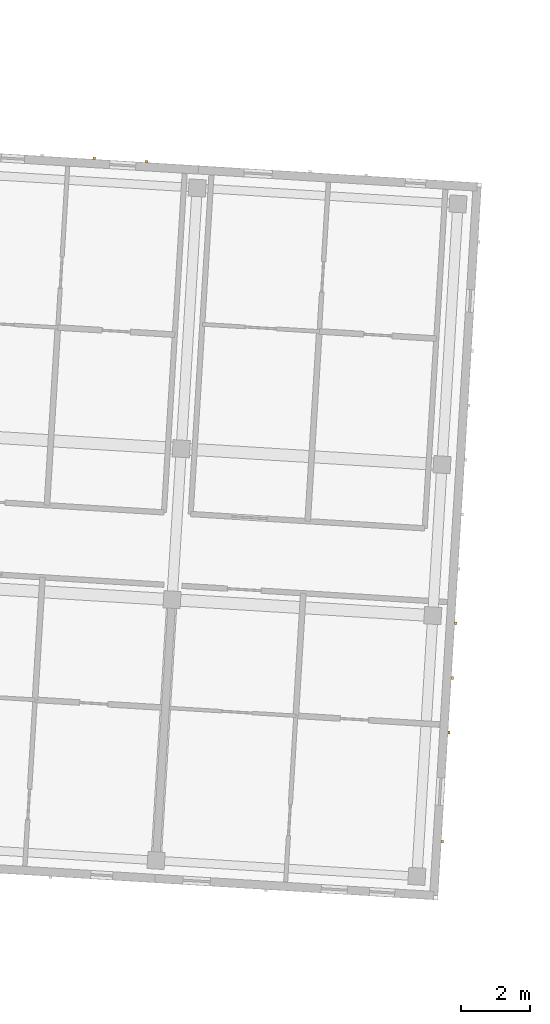
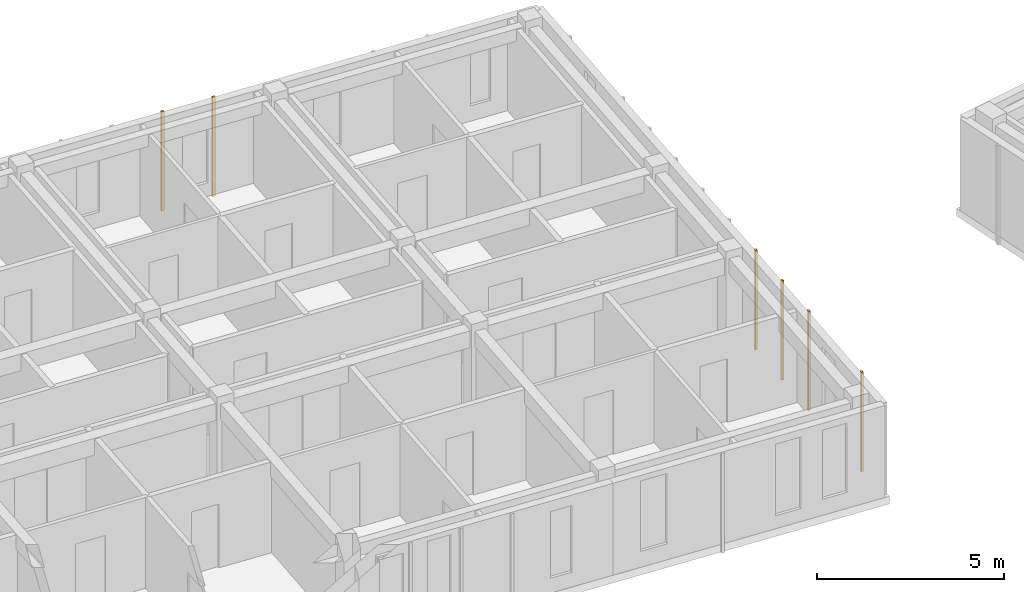
# One storey, part 51 of 74: 6 coverings.
"""IFC4 building model written with IfcOpenShell, lengths in metres."""

from ifc_helpers import new_model, si_unit, direction, frame, origin, origin_2d, place, context, subcontext, project, spatial, rectangle, extrude, material, layer, layer_set, type_object, element, save


model = new_model("IFC4")

# Units and contexts
model_context = context("Model", 3, precision=1e-05, world=origin(), true_north=direction((0.0, 1.0)))
body_context = subcontext(model_context, "Body", "Model", "MODEL_VIEW")
ifc_project = project(units=[si_unit("LENGTHUNIT", "METRE"), si_unit("AREAUNIT", "SQUARE_METRE"), si_unit("VOLUMEUNIT", "CUBIC_METRE"), si_unit("PLANEANGLEUNIT", "RADIAN"), si_unit("MASSUNIT", "GRAM", prefix="KILO")], contexts=[model_context])

# Site, building, storey
site_placement = place(None, origin())
site = spatial("IfcSite", under=ifc_project, at=site_placement, CompositionType="ELEMENT")
building_placement = place(site_placement, origin())
building = spatial("IfcBuilding", under=site, at=building_placement, Name="Kestramere Prow Commons", CompositionType="ELEMENT")
storey_placement = place(building_placement, frame((0.0, 0.0, 11.64990234375)))
storey = spatial("IfcBuildingStorey", under=building, at=storey_placement, Name="L03", CompositionType="ELEMENT", Elevation=11.64990234375)

# Coverings
ifc_material = material(Name="Weathered Zinc-Titanium Standing-Seam Cladding")
ifc_layer = layer(ifc_material, 0.074951171875)
ifc_layer_set = layer_set([ifc_layer], Name="Weathered Zinc-Titanium Standing-Seam Cladding")
covering_type = type_object("IfcCoveringType", Name="COV-CLAD-SEAM", PredefinedType="CLADDING", material=ifc_layer_set)
for number, where, z_axis, x_axis, name in (
    (1, (95.6328125, 64.60546875, -0.25), (0.0, 0.0, 1.0), (0.998134798422, -0.061048539535, 0.0), "EW-C-L03-N-4 Standing-Seam Rib 3"),
    (2, (97.14990234375, 64.5126953125, -0.25), (0.0, 0.0, 1.0), (0.998134798422, -0.061048539535, 0.0), "EW-C-L03-N-4 Standing-Seam Rib 4"),
    (3, (106.14404296875, 51.078369140625, -0.25), (0.0, 0.0, 1.0), (-0.061048539535, -0.998134798422, 0.0), "EW-C-L03-EAV Standing-Seam Rib 8"),
    (4, (106.047119140625, 49.492919921875, -0.25), (0.0, 0.0, 1.0), (-0.061048539535, -0.998134798422, 0.0), "EW-C-L03-EAV Standing-Seam Rib 9"),
    (5, (105.949951171875, 47.9072265625, -0.25), (0.0, 0.0, 1.0), (-0.061048539535, -0.998134798422, 0.0), "EW-C-L03-EAV Standing-Seam Rib 10"),
    (6, (105.756103515625, 44.736328125, -0.25), (0.0, 0.0, 1.0), (-0.061048539535, -0.998134798422, 0.0), "EW-C-L03-EAV Standing-Seam Rib 12"),
):
    element("IfcCovering", number, at=place(storey_placement, frame(where, z_axis=z_axis, x_axis=x_axis)), inside=storey, type_object=covering_type, Name=name, PredefinedType="CLADDING", context=body_context, shape_type="SweptSolid", body=[
        extrude(rectangle(XDim=0.0849609375, YDim=0.06494140625, at=origin_2d()), origin(), (0.0, 0.0, 1.0), 3.25),
    ])

save(model, "model.ifc")
